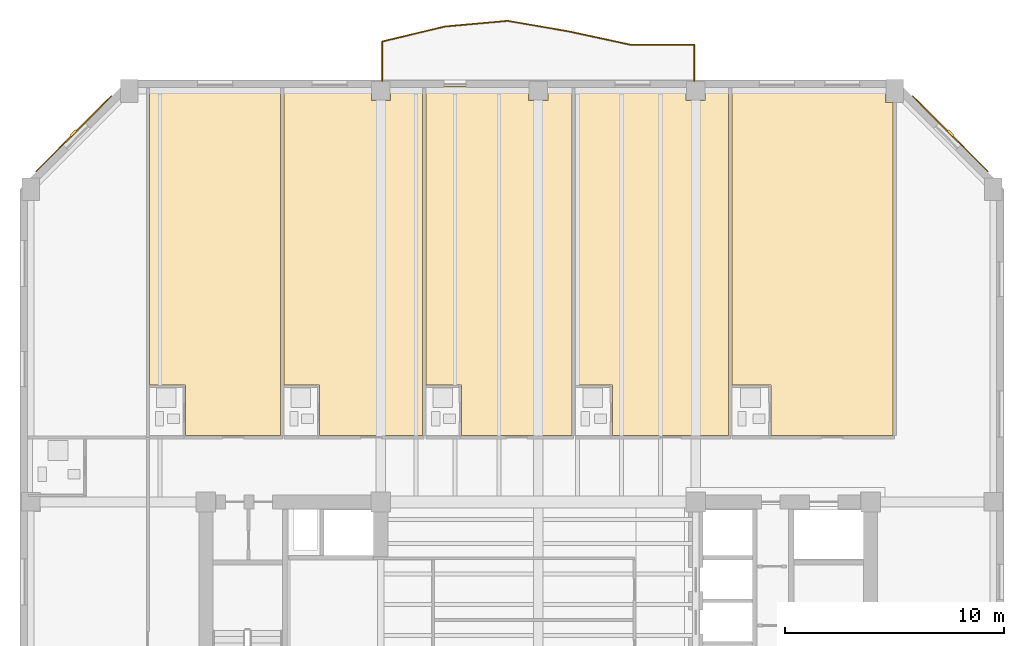
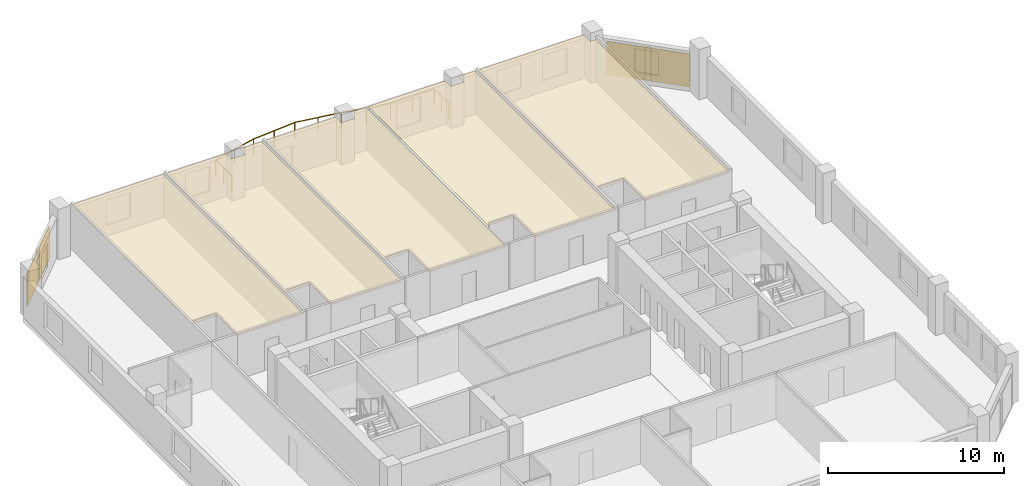
# One storey, part 10 of 11: 7 coverings, 2 shading devices, 1 railing.
"""IFC4 building model written with IfcOpenShell, lengths in metres."""

from ifc_helpers import new_model, si_unit, direction, frame, origin, origin_2d, place, context, subcontext, project, spatial, polyline, rectangle, circle, outline, extrude, material, layer, layer_set, type_object, element, save


model = new_model("IFC4")

# Units and contexts
model_context = context("Model", 3, precision=1e-05, world=origin(), true_north=direction((0.0, 1.0)))
body_context = subcontext(model_context, "Body", "Model", "MODEL_VIEW")
ifc_project = project(units=[si_unit("LENGTHUNIT", "METRE"), si_unit("AREAUNIT", "SQUARE_METRE"), si_unit("VOLUMEUNIT", "CUBIC_METRE"), si_unit("PLANEANGLEUNIT", "RADIAN"), si_unit("MASSUNIT", "GRAM", prefix="KILO")], contexts=[model_context])

# Site, building, storey
site_placement = place(None, origin())
site = spatial("IfcSite", under=ifc_project, at=site_placement, CompositionType="ELEMENT")
building_placement = place(site_placement, origin())
building = spatial("IfcBuilding", under=site, at=building_placement, Name="Kranthara Brick Stack", CompositionType="ELEMENT")
storey_placement = place(building_placement, frame((0.0, 0.0, 190.300048828125)))
storey = spatial("IfcBuildingStorey", under=building, at=storey_placement, Name="L49", CompositionType="ELEMENT", Elevation=190.300048828125)

# Coverings
ifc_material_1 = material(Name="Perforated mineral-fibre acoustic ceiling tile", Category="other")
ifc_layer_1 = layer(ifc_material_1, 0.02490234375)
ifc_layer_set_1 = layer_set([ifc_layer_1], Name="Perforated mineral-fibre acoustic ceiling tile")
covering_type_1 = type_object("IfcCoveringType", Name="COV-CEIL-ACOUSTIC", PredefinedType="CEILING", material=ifc_layer_set_1)
covering_1_placement = place(storey_placement, frame((0.0, 0.0, 2.929931640625)))
element("IfcCovering", 1, at=covering_1_placement, inside=storey, type_object=covering_type_1, Name="L49 Room L49-05 Corner Junior Suite Acoustic Ceiling", PredefinedType="CEILING", context=body_context, shape_type="SweptSolid", body=[
    extrude(outline(polyline([(11.860107421875, 36.6298828125), (16.217041015625, 36.6298828125), (16.217041015625, 52.60009765625), (10.22998046875, 52.60009765625), (10.22998046875, 38.93994140625), (11.860107421875, 38.93994140625), (11.860107421875, 36.6298828125)])), origin(), (0.0, 0.0, 1.0), 0.02490234375),
])
covering_2_placement = place(storey_placement, frame((0.0, 0.0, 2.929931640625)))
element("IfcCovering", 2, at=covering_2_placement, inside=storey, type_object=covering_type_1, Name="L49 Room L49-06 Corner Junior Suite Acoustic Ceiling", PredefinedType="CEILING", context=body_context, shape_type="SweptSolid", body=[
    extrude(outline(polyline([(22.705078125, 52.60009765625), (22.705078125, 36.6298828125), (18.007080078125, 36.6298828125), (18.007080078125, 38.93994140625), (16.376953125, 38.93994140625), (16.376953125, 52.60009765625), (20.364990234375, 52.60009765625), (20.364990234375, 51.965087890625), (21.235107421875, 51.965087890625), (21.235107421875, 52.60009765625), (22.705078125, 52.60009765625)])), origin(), (0.0, 0.0, 1.0), 0.02490234375),
])
covering_3_placement = place(storey_placement, frame((0.0, 0.0, 2.929931640625)))
element("IfcCovering", 3, at=covering_3_placement, inside=storey, type_object=covering_type_1, Name="L49 Room L49-07 Corner Junior Suite Acoustic Ceiling", PredefinedType="CEILING", context=body_context, shape_type="SweptSolid", body=[
    extrude(outline(polyline([(29.534912109375, 52.60009765625), (29.534912109375, 36.6298828125), (24.4951171875, 36.6298828125), (24.4951171875, 38.93994140625), (22.864990234375, 38.93994140625), (22.864990234375, 52.60009765625), (27.56494140625, 52.60009765625), (27.56494140625, 51.965087890625), (28.43505859375, 51.965087890625), (28.43505859375, 52.60009765625), (29.534912109375, 52.60009765625)])), origin(), (0.0, 0.0, 1.0), 0.02490234375),
])
covering_4_placement = place(storey_placement, frame((0.0, 0.0, 2.929931640625)))
element("IfcCovering", 4, at=covering_4_placement, inside=storey, type_object=covering_type_1, Name="L49 Room L49-08 Corner Junior Suite Acoustic Ceiling", PredefinedType="CEILING", context=body_context, shape_type="SweptSolid", body=[
    extrude(outline(polyline([(36.70703125, 52.60009765625), (36.70703125, 36.6298828125), (31.396240234375, 36.6298828125), (31.396240234375, 38.93994140625), (29.695068359375, 38.93994140625), (29.695068359375, 52.60009765625), (34.764892578125, 52.60009765625), (34.764892578125, 51.965087890625), (35.635009765625, 51.965087890625), (35.635009765625, 52.60009765625), (36.70703125, 52.60009765625)])), origin(), (0.0, 0.0, 1.0), 0.02490234375),
])
covering_5_placement = place(storey_placement, frame((0.0, 0.0, 2.929931640625)))
element("IfcCovering", 5, at=covering_5_placement, inside=storey, type_object=covering_type_1, Name="L49 Room L49-09 Corner Junior Suite Acoustic Ceiling", PredefinedType="CEILING", context=body_context, shape_type="SweptSolid", body=[
    extrude(outline(polyline([(44.219970703125, 36.6298828125), (38.650146484375, 36.6298828125), (38.650146484375, 38.93994140625), (36.866943359375, 38.93994140625), (36.866943359375, 52.60009765625), (43.889892578125, 52.60009765625), (43.889892578125, 51.864990234375), (44.219970703125, 51.864990234375), (44.219970703125, 36.6298828125)])), origin(), (0.0, 0.0, 1.0), 0.02490234375),
])
ifc_material_2 = material(Name="Warm buff kiln-fired brick slip rainscreen", Category="masonry")
ifc_layer_2 = layer(ifc_material_2, 0.044921875)
ifc_layer_set_2 = layer_set([ifc_layer_2], Name="Warm buff kiln-fired brick slip rainscreen")
covering_type_2 = type_object("IfcCoveringType", Name="COV-CLAD-BRICK", PredefinedType="CLADDING", material=ifc_layer_set_2)
for number, where, z_axis, x_axis, name in (
    (6, (6.759521484375, 50.4404296875, 0.0498046875), (0.0, 0.0, 1.0), (0.707106781187, 0.707106781187, 0.0), "L49 Chamfer Brick Rainscreen Cladding NW"),
    (7, (46.84033203125, 50.4404296875, 0.0498046875), (0.0, 0.0, 1.0), (0.707106781187, -0.707106781187, 0.0), "L49 Chamfer Brick Rainscreen Cladding NE"),
):
    element("IfcCovering", number, at=place(storey_placement, frame(where, z_axis=z_axis, x_axis=x_axis)), inside=storey, type_object=covering_type_2, Name=name, PredefinedType="CLADDING", context=body_context, shape_type="SweptSolid", body=[
        extrude(rectangle(XDim=4.89306640625, YDim=0.044921875, at=origin_2d()), origin(), (0.0, 0.0, 1.0), 2.300048828125),
    ])

# Railing
ifc_material_3 = material(Name="Bronze anodised aluminium and laminated glass balustrade", Category="aluminium")
railing_type = type_object("IfcRailingType", Name="RL-BALC-1120", PredefinedType="BALUSTRADE", material=ifc_material_3)
railing_placement = place(storey_placement, frame((20.860107421875, 52.840087890625, 0.0)))
element("IfcRailing", 8, at=railing_placement, inside=storey, type_object=railing_type, Name="L49 North Rippling Balcony Balustrade", PredefinedType="BALUSTRADE", context=body_context, shape_type="SweptSolid", body=[
    extrude(circle(Radius=0.02392578125, at=origin_2d()), frame((0.0, 0.0, 1.09619140625), z_axis=(0.0, 1.0, 0.0), x_axis=(-1.0, 0.0, 0.0)), (0.0, 0.0, 1.0), 1.81591796875),
    extrude(circle(Radius=0.02392578125, at=origin_2d()), frame((0.0, 1.81591796875, 1.09619140625), z_axis=(0.972477815381, 0.232995490497, 0.0), x_axis=(-0.232995490497, 0.972477815381, 0.0)), (0.0, 0.0, 1.0), 2.960205078125),
    extrude(circle(Radius=0.02392578125, at=origin_2d()), frame((2.878662109375, 2.505615234375, 1.09619140625), z_axis=(0.996042667082, 0.088876348668, 0.0), x_axis=(-0.088876348668, 0.996042667082, 0.0)), (0.0, 0.0, 1.0), 2.87890625),
    extrude(circle(Radius=0.02392578125, at=origin_2d()), frame((5.74609375, 2.761474609375, 1.09619140625), z_axis=(0.985447120516, -0.169982271623, 0.0), x_axis=(0.169982271623, 0.985447120516, 0.0)), (0.0, 0.0, 1.0), 2.82080078125),
    extrude(circle(Radius=0.02392578125, at=origin_2d()), frame((8.52587890625, 2.281982421875, 1.09619140625), z_axis=(0.977453549575, -0.211150558662, 0.0), x_axis=(0.211150558662, 0.977453549575, 0.0)), (0.0, 0.0, 1.0), 2.9404296875),
    extrude(circle(Radius=0.02392578125, at=origin_2d()), frame((11.39990234375, 1.6611328125, 1.09619140625), z_axis=(0.999991721006, 0.004069142303, 0.0), x_axis=(-0.004069142303, 0.999991721006, 0.0)), (0.0, 0.0, 1.0), 2.8798828125),
    extrude(circle(Radius=0.02392578125, at=origin_2d()), frame((14.27978515625, 1.6728515625, 1.09619140625), z_axis=(0.0, -1.0, 0.0), x_axis=(1.0, 0.0, 0.0)), (0.0, 0.0, 1.0), 1.6728515625),
    extrude(circle(Radius=0.02099609375, at=origin_2d()), origin(), (0.0, 0.0, 1.0), 1.072021484375),
    extrude(circle(Radius=0.02099609375, at=origin_2d()), frame((0.0, 0.907958984375, 0.0)), (0.0, 0.0, 1.0), 1.072021484375),
    extrude(circle(Radius=0.02099609375, at=origin_2d()), frame((0.0, 1.81591796875, 0.0)), (0.0, 0.0, 1.0), 1.072021484375),
    extrude(circle(Radius=0.02099609375, at=origin_2d()), frame((1.439453125, 2.16064453125, 0.0)), (0.0, 0.0, 1.0), 1.072021484375),
    extrude(circle(Radius=0.02099609375, at=origin_2d()), frame((2.878662109375, 2.505615234375, 0.0)), (0.0, 0.0, 1.0), 1.072021484375),
    extrude(circle(Radius=0.02099609375, at=origin_2d()), frame((4.3125, 2.633544921875, 0.0)), (0.0, 0.0, 1.0), 1.072021484375),
    extrude(circle(Radius=0.02099609375, at=origin_2d()), frame((5.74609375, 2.761474609375, 0.0)), (0.0, 0.0, 1.0), 1.072021484375),
    extrude(circle(Radius=0.02099609375, at=origin_2d()), frame((7.135986328125, 2.521728515625, 0.0)), (0.0, 0.0, 1.0), 1.072021484375),
    extrude(circle(Radius=0.02099609375, at=origin_2d()), frame((8.52587890625, 2.281982421875, 0.0)), (0.0, 0.0, 1.0), 1.072021484375),
    extrude(circle(Radius=0.02099609375, at=origin_2d()), frame((9.962890625, 1.9716796875, 0.0)), (0.0, 0.0, 1.0), 1.072021484375),
    extrude(circle(Radius=0.02099609375, at=origin_2d()), frame((11.39990234375, 1.6611328125, 0.0)), (0.0, 0.0, 1.0), 1.072021484375),
    extrude(circle(Radius=0.02099609375, at=origin_2d()), frame((12.83984375, 1.6669921875, 0.0)), (0.0, 0.0, 1.0), 1.072021484375),
    extrude(circle(Radius=0.02099609375, at=origin_2d()), frame((14.27978515625, 1.6728515625, 0.0)), (0.0, 0.0, 1.0), 1.072021484375),
    extrude(circle(Radius=0.02099609375, at=origin_2d()), frame((14.27978515625, 0.83642578125, 0.0)), (0.0, 0.0, 1.0), 1.072021484375),
    extrude(circle(Radius=0.02099609375, at=origin_2d()), frame((14.27978515625, 0.0, 0.0)), (0.0, 0.0, 1.0), 1.072021484375),
])

# Shading devices
ifc_material_4 = material(Name="Kiln-fired terracotta aerodynamic wind fin", Category="masonry")
shading_device_type = type_object("IfcShadingDeviceType", Name="SHD-BAFFLE-CORNER", PredefinedType="SHUTTER", material=ifc_material_4)
for number, where, z_axis, x_axis, name in (
    (9, (6.73828125, 50.461669921875, 0.0498046875), (0.0, 0.0, 1.0), (0.707106781187, 0.707106781187, 0.0), "L49 Chamfer Wind-Baffle Fin NW"),
    (10, (46.861572265625, 50.461669921875, 0.0498046875), (0.0, 0.0, 1.0), (0.707106781187, -0.707106781187, 0.0), "L49 Chamfer Wind-Baffle Fin NE"),
):
    element("IfcShadingDevice", number, at=place(storey_placement, frame(where, z_axis=z_axis, x_axis=x_axis)), inside=storey, type_object=shading_device_type, Name=name, PredefinedType="SHUTTER", context=body_context, shape_type="SweptSolid", body=[
        extrude(rectangle(XDim=0.35009765625, YDim=0.1201171875, at=origin_2d()), origin(), (0.0, 0.0, 1.0), 2.300048828125),
    ])

save(model, "model.ifc")
